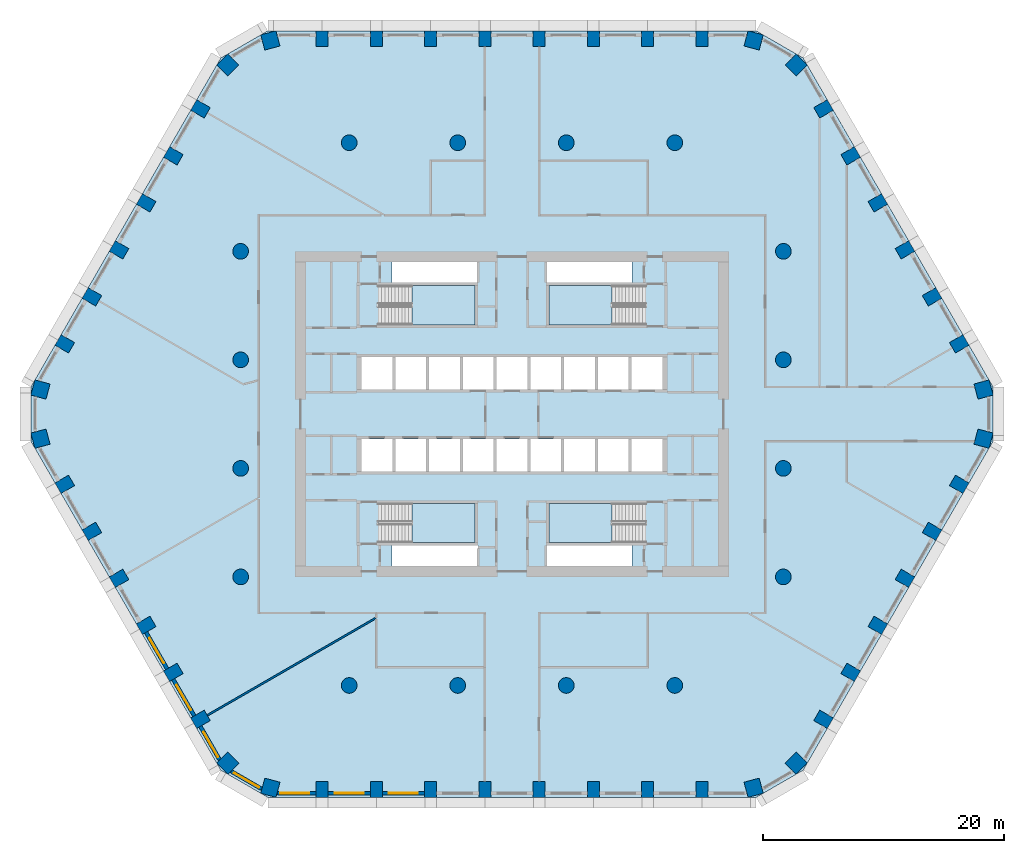
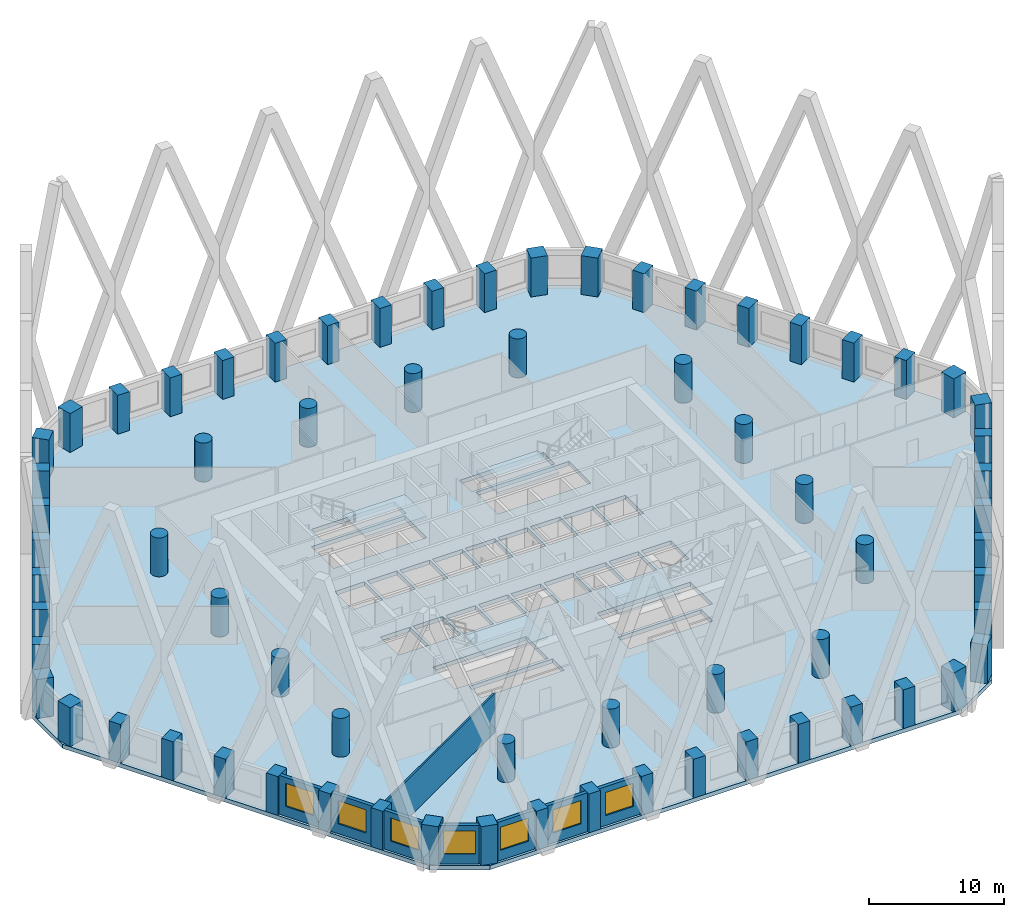
# One storey, part 1 of 18: 68 columns, 8 walls, 7 windows, 5 slabs, 7 openings, 4 elements without a shape of their own.
"""IFC4 building model written with IfcOpenShell, lengths in metres."""

from ifc_helpers import new_model, si_unit, direction, frame, frame_2d, origin, origin_2d, place, context, subcontext, project, spatial, polyline, rectangle, circle, outline, extrude, material, layer, layer_set, material_profile, profile_set, type_object, element, fill, aggregate, save


model = new_model("IFC4")

# Units and contexts
model_context = context("Model", 3, precision=1e-05, world=origin(), true_north=direction((0.0, 1.0)))
body_context = subcontext(model_context, "Body", "Model", "MODEL_VIEW")
ifc_project = project(units=[si_unit("LENGTHUNIT", "METRE"), si_unit("AREAUNIT", "SQUARE_METRE"), si_unit("VOLUMEUNIT", "CUBIC_METRE"), si_unit("PLANEANGLEUNIT", "RADIAN"), si_unit("MASSUNIT", "GRAM", prefix="KILO")], contexts=[model_context])

# Site, building, storey
site_placement = place(None, origin())
site = spatial("IfcSite", under=ifc_project, at=site_placement, CompositionType="ELEMENT")
building_placement = place(site_placement, origin())
building = spatial("IfcBuilding", under=site, at=building_placement, Name="Dhurran Vertical Campus", CompositionType="ELEMENT")
storey_placement = place(building_placement, frame((0.0, 0.0, 81.300048828125)))
storey = spatial("IfcBuildingStorey", under=building, at=storey_placement, Name="L19", CompositionType="ELEMENT", Elevation=81.300048828125)

# Columns
ifc_material_1 = material(Name="Concrete C60/75", Category="concrete")
ifc_material_profile_1 = material_profile(ifc_material_1, rectangle(XDim=1.0, YDim=1.300048828125, at=origin_2d()), Name="RC 1000x1300")
ifc_profile_set_1 = profile_set([ifc_material_profile_1], Name="Concrete C60/75")
column_type_1 = type_object("IfcColumnType", Name="FR COL RC 1000x1300 C60/75", PredefinedType="COLUMN", material=ifc_profile_set_1)
for number, where, z_axis, x_axis, name in (
    (1, (-15.75, -31.1298828125, 0.0), (0.0, 0.0, 1.0), (1.0, 0.0, 0.0), "Perimeter pier PP2.01"),
    (2, (-11.25, -31.1298828125, 0.0), (0.0, 0.0, 1.0), (1.0, 0.0, 0.0), "Perimeter pier PP2.02"),
    (3, (-6.75, -31.1298828125, 0.0), (0.0, 0.0, 1.0), (1.0, 0.0, 0.0), "Perimeter pier PP2.03"),
    (4, (-2.25, -31.1298828125, 0.0), (0.0, 0.0, 1.0), (1.0, 0.0, 0.0), "Perimeter pier PP2.04"),
    (5, (2.25, -31.1298828125, 0.0), (0.0, 0.0, 1.0), (1.0, 0.0, 0.0), "Perimeter pier PP2.05"),
    (6, (6.75, -31.1298828125, 0.0), (0.0, 0.0, 1.0), (1.0, 0.0, 0.0), "Perimeter pier PP2.06"),
    (7, (11.25, -31.1298828125, 0.0), (0.0, 0.0, 1.0), (1.0, 0.0, 0.0), "Perimeter pier PP2.07"),
    (8, (15.75, -31.1298828125, 0.0), (0.0, 0.0, 1.0), (1.0, 0.0, 0.0), "Perimeter pier PP2.08"),
    (9, (25.834228515625, -25.3076171875, 0.0), (0.0, 0.0, 1.0), (0.5, 0.866025403784, 0.0), "Perimeter pier PP2.11"),
    (10, (28.084228515625, -21.41064453125, 0.0), (0.0, 0.0, 1.0), (0.5, 0.866025403784, 0.0), "Perimeter pier PP2.12"),
    (11, (30.334228515625, -17.513427734375, 0.0), (0.0, 0.0, 1.0), (0.5, 0.866025403784, 0.0), "Perimeter pier PP2.13"),
    (12, (32.584228515625, -13.6162109375, 0.0), (0.0, 0.0, 1.0), (0.5, 0.866025403784, 0.0), "Perimeter pier PP2.14"),
    (13, (34.834228515625, -9.71923828125, 0.0), (0.0, 0.0, 1.0), (0.5, 0.866025403784, 0.0), "Perimeter pier PP2.15"),
    (14, (37.084228515625, -5.822021484375, 0.0), (0.0, 0.0, 1.0), (0.5, 0.866025403784, 0.0), "Perimeter pier PP2.16"),
    (15, (37.084228515625, 5.822021484375, 0.0), (0.0, 0.0, 1.0), (-0.5, 0.866025403784, 0.0), "Perimeter pier PP2.19"),
    (16, (34.834228515625, 9.71923828125, 0.0), (0.0, 0.0, 1.0), (-0.5, 0.866025403784, 0.0), "Perimeter pier PP2.20"),
    (17, (32.584228515625, 13.6162109375, 0.0), (0.0, 0.0, 1.0), (-0.5, 0.866025403784, 0.0), "Perimeter pier PP2.21"),
    (18, (30.334228515625, 17.513427734375, 0.0), (0.0, 0.0, 1.0), (-0.5, 0.866025403784, 0.0), "Perimeter pier PP2.22"),
    (19, (28.084228515625, 21.41064453125, 0.0), (0.0, 0.0, 1.0), (-0.5, 0.866025403784, 0.0), "Perimeter pier PP2.23"),
    (20, (25.834228515625, 25.3076171875, 0.0), (0.0, 0.0, 1.0), (-0.5, 0.866025403784, 0.0), "Perimeter pier PP2.24"),
    (21, (15.75, 31.1298828125, 0.0), (0.0, 0.0, 1.0), (-1.0, 0.0, 0.0), "Perimeter pier PP2.27"),
    (22, (11.25, 31.1298828125, 0.0), (0.0, 0.0, 1.0), (-1.0, 0.0, 0.0), "Perimeter pier PP2.28"),
    (23, (6.75, 31.1298828125, 0.0), (0.0, 0.0, 1.0), (-1.0, 0.0, 0.0), "Perimeter pier PP2.29"),
    (24, (2.25, 31.1298828125, 0.0), (0.0, 0.0, 1.0), (-1.0, 0.0, 0.0), "Perimeter pier PP2.30"),
    (25, (-2.25, 31.1298828125, 0.0), (0.0, 0.0, 1.0), (-1.0, 0.0, 0.0), "Perimeter pier PP2.31"),
    (26, (-6.75, 31.1298828125, 0.0), (0.0, 0.0, 1.0), (-1.0, 0.0, 0.0), "Perimeter pier PP2.32"),
    (27, (-11.25, 31.1298828125, 0.0), (0.0, 0.0, 1.0), (-1.0, 0.0, 0.0), "Perimeter pier PP2.33"),
    (28, (-15.75, 31.1298828125, 0.0), (0.0, 0.0, 1.0), (-1.0, 0.0, 0.0), "Perimeter pier PP2.34"),
    (29, (-25.834228515625, 25.3076171875, 0.0), (0.0, 0.0, 1.0), (-0.5, -0.866025403784, 0.0), "Perimeter pier PP2.37"),
    (30, (-28.084228515625, 21.41064453125, 0.0), (0.0, 0.0, 1.0), (-0.5, -0.866025403784, 0.0), "Perimeter pier PP2.38"),
    (31, (-30.334228515625, 17.513427734375, 0.0), (0.0, 0.0, 1.0), (-0.5, -0.866025403784, 0.0), "Perimeter pier PP2.39"),
    (32, (-32.584228515625, 13.6162109375, 0.0), (0.0, 0.0, 1.0), (-0.5, -0.866025403784, 0.0), "Perimeter pier PP2.40"),
    (33, (-34.834228515625, 9.71923828125, 0.0), (0.0, 0.0, 1.0), (-0.5, -0.866025403784, 0.0), "Perimeter pier PP2.41"),
    (34, (-37.084228515625, 5.822021484375, 0.0), (0.0, 0.0, 1.0), (-0.5, -0.866025403784, 0.0), "Perimeter pier PP2.42"),
    (35, (-37.084228515625, -5.822021484375, 0.0), (0.0, 0.0, 1.0), (0.5, -0.866025403784, 0.0), "Perimeter pier PP2.45"),
    (36, (-34.834228515625, -9.71923828125, 0.0), (0.0, 0.0, 1.0), (0.5, -0.866025403784, 0.0), "Perimeter pier PP2.46"),
    (37, (-32.584228515625, -13.6162109375, 0.0), (0.0, 0.0, 1.0), (0.5, -0.866025403784, 0.0), "Perimeter pier PP2.47"),
    (38, (-30.334228515625, -17.513427734375, 0.0), (0.0, 0.0, 1.0), (0.5, -0.866025403784, 0.0), "Perimeter pier PP2.48"),
    (39, (-28.084228515625, -21.41064453125, 0.0), (0.0, 0.0, 1.0), (0.5, -0.866025403784, 0.0), "Perimeter pier PP2.49"),
    (40, (-25.834228515625, -25.3076171875, 0.0), (0.0, 0.0, 1.0), (0.5, -0.866025403784, 0.0), "Perimeter pier PP2.50"),
):
    element("IfcColumn", number, at=place(storey_placement, frame(where, z_axis=z_axis, x_axis=x_axis)), inside=storey, type_object=column_type_1, Name=name, PredefinedType="COLUMN", context=body_context, shape_type="SweptSolid", body=[
        extrude(rectangle(XDim=1.0, YDim=1.300048828125, at=origin_2d()), origin(), (0.0, 0.0, 1.0), 3.52490234375),
    ])
ifc_material_2 = material(Name="Concrete C60/75", Category="concrete")
ifc_material_profile_2 = material_profile(ifc_material_2, rectangle(XDim=1.300048828125, YDim=1.300048828125, at=origin_2d()), Name="RC 1300x1300")
ifc_profile_set_2 = profile_set([ifc_material_profile_2], Name="Concrete C60/75")
column_type_2 = type_object("IfcColumnType", Name="FR COL RC 1300x1300 C60/75", PredefinedType="COLUMN", material=ifc_profile_set_2)
for number, where, z_axis, x_axis, name in (
    (41, (-20.03662109375, -30.983642578125, 0.0), (0.0, 0.0, 1.0), (0.965925826289, -0.258819045103, 0.0), "Perimeter pier PP2.00"),
    (42, (20.03662109375, -30.983642578125, 0.0), (0.0, 0.0, 1.0), (0.965925826289, 0.258819045103, 0.0), "Perimeter pier PP2.09"),
    (43, (23.564208984375, -28.947021484375, 0.0), (0.0, 0.0, 1.0), (0.707106781187, 0.707106781187, 0.0), "Perimeter pier PP2.10"),
    (44, (39.10107421875, -2.03662109375, 0.0), (0.0, 0.0, 1.0), (0.258819045103, 0.965925826289, 0.0), "Perimeter pier PP2.17"),
    (45, (39.10107421875, 2.03662109375, 0.0), (0.0, 0.0, 1.0), (-0.258819045103, 0.965925826289, 0.0), "Perimeter pier PP2.18"),
    (46, (23.564208984375, 28.947021484375, 0.0), (0.0, 0.0, 1.0), (-0.707106781187, 0.707106781187, 0.0), "Perimeter pier PP2.25"),
    (47, (20.03662109375, 30.983642578125, 0.0), (0.0, 0.0, 1.0), (-0.965925826289, 0.258819045103, 0.0), "Perimeter pier PP2.26"),
    (48, (-20.03662109375, 30.983642578125, 0.0), (0.0, 0.0, 1.0), (-0.965925826289, -0.258819045103, 0.0), "Perimeter pier PP2.35"),
    (49, (-23.564208984375, 28.947021484375, 0.0), (0.0, 0.0, 1.0), (-0.707106781187, -0.707106781187, 0.0), "Perimeter pier PP2.36"),
    (50, (-39.10107421875, 2.03662109375, 0.0), (0.0, 0.0, 1.0), (-0.258819045103, -0.965925826289, 0.0), "Perimeter pier PP2.43"),
    (51, (-39.10107421875, -2.03662109375, 0.0), (0.0, 0.0, 1.0), (0.258819045103, -0.965925826289, 0.0), "Perimeter pier PP2.44"),
    (52, (-23.564208984375, -28.947021484375, 0.0), (0.0, 0.0, 1.0), (0.707106781187, -0.707106781187, 0.0), "Perimeter pier PP2.51"),
):
    element("IfcColumn", number, at=place(storey_placement, frame(where, z_axis=z_axis, x_axis=x_axis)), inside=storey, type_object=column_type_2, Name=name, PredefinedType="COLUMN", context=body_context, shape_type="SweptSolid", body=[
        extrude(rectangle(XDim=1.300048828125, YDim=1.300048828125, at=origin_2d()), origin(), (0.0, 0.0, 1.0), 3.52490234375),
    ])
ifc_material_3 = material(Name="Concrete C60/75", Category="concrete")
ifc_material_profile_3 = material_profile(ifc_material_3, circle(Radius=0.64990234375, at=origin_2d()), Name="RCC D1300")
ifc_profile_set_3 = profile_set([ifc_material_profile_3], Name="Concrete C60/75")
column_type_3 = type_object("IfcColumnType", Name="FR COL RCC D1300 C60/75", PredefinedType="COLUMN", material=ifc_profile_set_3)
for number, where, z_axis, x_axis, name in (
    (53, (-22.5, -13.5, 0.0), (0.0, 0.0, 1.0), (1.0, 0.0, 0.0), "Inner column IC2-D4"),
    (54, (-22.5, -4.5, 0.0), (0.0, 0.0, 1.0), (1.0, 0.0, 0.0), "Inner column IC2-D5"),
    (55, (-22.5, 4.5, 0.0), (0.0, 0.0, 1.0), (1.0, 0.0, 0.0), "Inner column IC2-D6"),
    (56, (-22.5, 13.5, 0.0), (0.0, 0.0, 1.0), (1.0, 0.0, 0.0), "Inner column IC2-D7"),
    (57, (-13.5, -22.5, 0.0), (0.0, 0.0, 1.0), (1.0, 0.0, 0.0), "Inner column IC2-E3"),
    (58, (-13.5, 22.5, 0.0), (0.0, 0.0, 1.0), (1.0, 0.0, 0.0), "Inner column IC2-E8"),
    (59, (-4.5, -22.5, 0.0), (0.0, 0.0, 1.0), (1.0, 0.0, 0.0), "Inner column IC2-F3"),
    (60, (-4.5, 22.5, 0.0), (0.0, 0.0, 1.0), (1.0, 0.0, 0.0), "Inner column IC2-F8"),
    (61, (4.5, -22.5, 0.0), (0.0, 0.0, 1.0), (1.0, 0.0, 0.0), "Inner column IC2-G3"),
    (62, (4.5, 22.5, 0.0), (0.0, 0.0, 1.0), (1.0, 0.0, 0.0), "Inner column IC2-G8"),
    (63, (13.5, -22.5, 0.0), (0.0, 0.0, 1.0), (1.0, 0.0, 0.0), "Inner column IC2-H3"),
    (64, (13.5, 22.5, 0.0), (0.0, 0.0, 1.0), (1.0, 0.0, 0.0), "Inner column IC2-H8"),
    (65, (22.5, -13.5, 0.0), (0.0, 0.0, 1.0), (1.0, 0.0, 0.0), "Inner column IC2-J4"),
    (66, (22.5, -4.5, 0.0), (0.0, 0.0, 1.0), (1.0, 0.0, 0.0), "Inner column IC2-J5"),
    (67, (22.5, 4.5, 0.0), (0.0, 0.0, 1.0), (1.0, 0.0, 0.0), "Inner column IC2-J6"),
    (68, (22.5, 13.5, 0.0), (0.0, 0.0, 1.0), (1.0, 0.0, 0.0), "Inner column IC2-J7"),
):
    element("IfcColumn", number, at=place(storey_placement, frame(where, z_axis=z_axis, x_axis=x_axis)), inside=storey, type_object=column_type_3, Name=name, PredefinedType="COLUMN", context=body_context, shape_type="SweptSolid", body=[
        extrude(circle(Radius=0.64990234375, at=origin_2d()), origin(), (0.0, 0.0, 1.0), 3.52490234375),
    ])

# Slab
ifc_material_4 = material(Name="Concrete C40/50", Category="concrete")
ifc_layer_1 = layer(ifc_material_4, 0.375)
ifc_layer_set_1 = layer_set([ifc_layer_1], Name="Concrete C40/50")
slab_type_1 = type_object("IfcSlabType", Name="FR POST-TENSIONED FLAT SLAB 375", PredefinedType="FLOOR", material=ifc_layer_set_1)
slab_1_placement = place(storey_placement, frame((0.0, 0.0, -0.375)))
element("IfcSlab", 69, at=slab_1_placement, inside=storey, type_object=slab_type_1, Name="Floor slab L19", PredefinedType="FLOOR", context=body_context, shape_type="SweptSolid", body=[
    extrude(outline(polyline([(-20.25, -31.77978515625), (20.25, -31.77978515625), (24.147216796875, -29.52978515625), (39.897216796875, -2.25), (39.897216796875, 2.25), (24.147216796875, 29.52978515625), (20.25, 31.77978515625), (-20.25, 31.77978515625), (-24.147216796875, 29.52978515625), (-39.897216796875, 2.25), (-39.897216796875, -2.25), (-24.147216796875, -29.52978515625), (-20.25, -31.77978515625)]), holes=[polyline([(-12.47509765625, 2.050048828125), (-9.925048828125, 2.050048828125), (-9.925048828125, 4.75), (-12.47509765625, 4.75), (-12.47509765625, 2.050048828125)]), polyline([(-9.675048828125, 2.050048828125), (-7.125, 2.050048828125), (-7.125, 4.75), (-9.675048828125, 4.75), (-9.675048828125, 2.050048828125)]), polyline([(-6.875, 2.050048828125), (-4.324951171875, 2.050048828125), (-4.324951171875, 4.75), (-6.875, 4.75), (-6.875, 2.050048828125)]), polyline([(-1.27490234375, 2.050048828125), (1.27490234375, 2.050048828125), (1.27490234375, 4.75), (-1.27490234375, 4.75), (-1.27490234375, 2.050048828125)]), polyline([(9.925048828125, 2.050048828125), (12.47509765625, 2.050048828125), (12.47509765625, 4.75), (9.925048828125, 4.75), (9.925048828125, 2.050048828125)]), polyline([(-1.27490234375, -4.75), (1.27490234375, -4.75), (1.27490234375, -2.050048828125), (-1.27490234375, -2.050048828125), (-1.27490234375, -4.75)]), polyline([(1.52490234375, -4.75), (4.074951171875, -4.75), (4.074951171875, -2.050048828125), (1.52490234375, -2.050048828125), (1.52490234375, -4.75)]), polyline([(4.324951171875, -4.75), (6.875, -4.75), (6.875, -2.050048828125), (4.324951171875, -2.050048828125), (4.324951171875, -4.75)]), polyline([(7.125, -4.75), (9.675048828125, -4.75), (9.675048828125, -2.050048828125), (7.125, -2.050048828125), (7.125, -4.75)]), polyline([(9.925048828125, -4.75), (12.47509765625, -4.75), (12.47509765625, -2.050048828125), (9.925048828125, -2.050048828125), (9.925048828125, -4.75)]), polyline([(-4.074951171875, 2.050048828125), (-1.52490234375, 2.050048828125), (-1.52490234375, 4.75), (-4.074951171875, 4.75), (-4.074951171875, 2.050048828125)]), polyline([(1.52490234375, 2.050048828125), (4.074951171875, 2.050048828125), (4.074951171875, 4.75), (1.52490234375, 4.75), (1.52490234375, 2.050048828125)]), polyline([(4.324951171875, 2.050048828125), (6.875, 2.050048828125), (6.875, 4.75), (4.324951171875, 4.75), (4.324951171875, 2.050048828125)]), polyline([(7.125, 2.050048828125), (9.675048828125, 2.050048828125), (9.675048828125, 4.75), (7.125, 4.75), (7.125, 2.050048828125)]), polyline([(-12.47509765625, -4.75), (-9.925048828125, -4.75), (-9.925048828125, -2.050048828125), (-12.47509765625, -2.050048828125), (-12.47509765625, -4.75)]), polyline([(-9.675048828125, -4.75), (-7.125, -4.75), (-7.125, -2.050048828125), (-9.675048828125, -2.050048828125), (-9.675048828125, -4.75)]), polyline([(-6.875, -4.75), (-4.324951171875, -4.75), (-4.324951171875, -2.050048828125), (-6.875, -2.050048828125), (-6.875, -4.75)]), polyline([(-4.074951171875, -4.75), (-1.52490234375, -4.75), (-1.52490234375, -2.050048828125), (-4.074951171875, -2.050048828125), (-4.074951171875, -4.75)]), polyline([(-11.050048828125, 7.39990234375), (-3.050048828125, 7.39990234375), (-3.050048828125, 10.64990234375), (-11.050048828125, 10.64990234375), (-11.050048828125, 7.39990234375)]), polyline([(3.050048828125, 7.39990234375), (11.050048828125, 7.39990234375), (11.050048828125, 10.64990234375), (3.050048828125, 10.64990234375), (3.050048828125, 7.39990234375)]), polyline([(-11.050048828125, -10.64990234375), (-3.050048828125, -10.64990234375), (-3.050048828125, -7.39990234375), (-11.050048828125, -7.39990234375), (-11.050048828125, -10.64990234375)]), polyline([(3.050048828125, -10.64990234375), (11.050048828125, -10.64990234375), (11.050048828125, -7.39990234375), (3.050048828125, -7.39990234375), (3.050048828125, -10.64990234375)]), polyline([(-9.949951171875, 10.89990234375), (-9.949951171875, 12.60009765625), (-2.800048828125, 12.60009765625), (-2.800048828125, 10.89990234375), (-9.949951171875, 10.89990234375)]), polyline([(9.949951171875, 12.60009765625), (9.949951171875, 10.89990234375), (2.800048828125, 10.89990234375), (2.800048828125, 12.60009765625), (9.949951171875, 12.60009765625)]), polyline([(-9.949951171875, -12.60009765625), (-9.949951171875, -10.89990234375), (-2.800048828125, -10.89990234375), (-2.800048828125, -12.60009765625), (-9.949951171875, -12.60009765625)]), polyline([(9.949951171875, -10.89990234375), (9.949951171875, -12.60009765625), (2.800048828125, -12.60009765625), (2.800048828125, -10.89990234375), (9.949951171875, -10.89990234375)])]), origin(), (0.0, 0.0, 1.0), 0.375),
])

# Stair, slab
ifc_material_5 = material(Name="Concrete C40/50", Category="concrete")
stair_type = type_object("IfcStairType", Name="co-ST-CORE", PredefinedType="HALF_TURN_STAIR", material=ifc_material_5)
stair_1_placement = place(storey_placement, origin())
stair_1 = element("IfcStair", 70, at=stair_1_placement, inside=storey, type_object=stair_type, Name="L19 Protected exit stair ST1", PredefinedType="HALF_TURN_STAIR")
ifc_material_6 = material(Name="Concrete C40/50", Category="concrete")
ifc_layer_2 = layer(ifc_material_6, 0.199951171875)
ifc_layer_set_2 = layer_set([ifc_layer_2], Name="Concrete C40/50")
slab_type_2 = type_object("IfcSlabType", Name="co-SL-LANDING", PredefinedType="LANDING", material=ifc_layer_set_2)
slab_2_placement = place(storey_placement, frame((0.0, 0.0, 1.75)))
slab_2 = element("IfcSlab", 71, at=slab_2_placement, type_object=slab_type_2, Name="ST1 landing 1", PredefinedType="LANDING", context=body_context, shape_type="SweptSolid", body=[
    extrude(outline(polyline([(-8.300048828125, 7.39990234375), (-3.050048828125, 7.39990234375), (-3.050048828125, 10.64990234375), (-8.300048828125, 10.64990234375), (-8.300048828125, 7.39990234375)])), origin(), (0.0, 0.0, 1.0), 0.199951171875),
])
aggregate(stair_1, [slab_2])

stair_2_placement = place(storey_placement, origin())
stair_2 = element("IfcStair", 72, at=stair_2_placement, inside=storey, type_object=stair_type, Name="L19 Protected exit stair ST2", PredefinedType="HALF_TURN_STAIR")
slab_3_placement = place(storey_placement, frame((0.0, 0.0, 1.75)))
slab_3 = element("IfcSlab", 73, at=slab_3_placement, type_object=slab_type_2, Name="ST2 landing 1", PredefinedType="LANDING", context=body_context, shape_type="SweptSolid", body=[
    extrude(outline(polyline([(8.300048828125, 10.64990234375), (3.050048828125, 10.64990234375), (3.050048828125, 7.39990234375), (8.300048828125, 7.39990234375), (8.300048828125, 10.64990234375)])), origin(), (0.0, 0.0, 1.0), 0.199951171875),
])
aggregate(stair_2, [slab_3])

stair_3_placement = place(storey_placement, origin())
stair_3 = element("IfcStair", 74, at=stair_3_placement, inside=storey, type_object=stair_type, Name="L19 Protected exit stair ST3", PredefinedType="HALF_TURN_STAIR")
slab_4_placement = place(storey_placement, frame((0.0, 0.0, 1.75)))
slab_4 = element("IfcSlab", 75, at=slab_4_placement, type_object=slab_type_2, Name="ST3 landing 1", PredefinedType="LANDING", context=body_context, shape_type="SweptSolid", body=[
    extrude(outline(polyline([(-8.300048828125, -10.64990234375), (-3.050048828125, -10.64990234375), (-3.050048828125, -7.39990234375), (-8.300048828125, -7.39990234375), (-8.300048828125, -10.64990234375)])), origin(), (0.0, 0.0, 1.0), 0.199951171875),
])
aggregate(stair_3, [slab_4])

stair_4_placement = place(storey_placement, origin())
stair_4 = element("IfcStair", 76, at=stair_4_placement, inside=storey, type_object=stair_type, Name="L19 Protected exit stair ST4", PredefinedType="HALF_TURN_STAIR")
slab_5_placement = place(storey_placement, frame((0.0, 0.0, 1.75)))
slab_5 = element("IfcSlab", 77, at=slab_5_placement, type_object=slab_type_2, Name="ST4 landing 1", PredefinedType="LANDING", context=body_context, shape_type="SweptSolid", body=[
    extrude(outline(polyline([(8.300048828125, -7.39990234375), (3.050048828125, -7.39990234375), (3.050048828125, -10.64990234375), (8.300048828125, -10.64990234375), (8.300048828125, -7.39990234375)])), origin(), (0.0, 0.0, 1.0), 0.199951171875),
])
aggregate(stair_4, [slab_5])

# Wall, opening, window
ifc_material_7 = material(Name="Precast concrete C50/60", Category="concrete")
ifc_layer_3 = layer(ifc_material_7, 0.300048828125)
ifc_layer_set_3 = layer_set([ifc_layer_3], Name="Precast concrete C50/60")
wall_type_1 = type_object("IfcWallType", Name="Precast spandrel wall 300", PredefinedType="SOLIDWALL", material=ifc_layer_set_3)
wall_1_placement = place(storey_placement, frame((-19.44287109375, -31.4296875, 0.0), z_axis=(0.0, 0.0, 1.0), x_axis=(1.0, 0.0, 0.0)))
wall_1 = element("IfcWall", 78, at=wall_1_placement, inside=storey, type_object=wall_type_1, Name="EW1 L19.00", PredefinedType="SOLIDWALL", context=body_context, shape_type="SweptSolid", body=[
    extrude(rectangle(XDim=3.1923828125, YDim=0.300048828125, at=frame_2d((1.59619140625, 0.0))), origin(), (0.0, 0.0, 1.0), 3.52490234375),
])
opening_1_placement = place(wall_1_placement, frame((0.242919921875, 0.0, 0.89990234375)))
opening_1 = element("IfcOpeningElement", 79, at=opening_1_placement, cuts=wall_1, Name="Opening WT1", PredefinedType="OPENING", context=body_context, shape_type="SweptSolid", body=[
    extrude(rectangle(XDim=2.39990234375, YDim=2.10009765625, at=frame_2d((1.199951171875, 1.050048828125))), frame((0.0, 0.159912109375, 0.0), z_axis=(0.0, -1.0, 0.0), x_axis=(1.0, 0.0, 0.0)), (0.0, 0.0, 1.0), 0.320068359375),
])
ifc_material_8 = material(Name="Aluminium frame with solar-control glass", Category="aluminium")
window_type = type_object("IfcWindowType", Name="Punched window 2400 x 2100", PartitioningType="SINGLE_PANEL", PredefinedType="WINDOW", material=ifc_material_8)
window_1_placement = place(opening_1_placement, origin())
window_1 = element("IfcWindow", 80, at=window_1_placement, inside=storey, type_object=window_type, Name="WT1 L19.00", OverallHeight=2.10009765625, OverallWidth=2.39990234375, PartitioningType="SINGLE_PANEL", PredefinedType="WINDOW", context=body_context, shape_type="SweptSolid", body=[
    extrude(rectangle(XDim=2.39990234375, YDim=2.10009765625, at=frame_2d((1.199951171875, 1.050048828125))), frame((0.0, 0.030029296875, 0.0), z_axis=(0.0, -1.0, 0.0), x_axis=(1.0, 0.0, 0.0)), (0.0, 0.0, 1.0), 0.06005859375),
])
fill(opening_1, window_1)

wall_2_placement = place(storey_placement, frame((-15.24951171875, -31.4296875, 0.0), z_axis=(0.0, 0.0, 1.0), x_axis=(1.0, 0.0, 0.0)))
wall_2 = element("IfcWall", 81, at=wall_2_placement, inside=storey, type_object=wall_type_1, Name="EW1 L19.01", PredefinedType="SOLIDWALL", context=body_context, shape_type="SweptSolid", body=[
    extrude(rectangle(XDim=3.4990234375, YDim=0.300048828125, at=frame_2d((1.74951171875, 0.0))), origin(), (0.0, 0.0, 1.0), 3.52490234375),
])
opening_2_placement = place(wall_2_placement, frame((0.549560546875, 0.0, 0.89990234375)))
opening_2 = element("IfcOpeningElement", 82, at=opening_2_placement, cuts=wall_2, Name="Opening WT1", PredefinedType="OPENING", context=body_context, shape_type="SweptSolid", body=[
    extrude(rectangle(XDim=2.39990234375, YDim=2.10009765625, at=frame_2d((1.199951171875, 1.050048828125))), frame((0.0, 0.159912109375, 0.0), z_axis=(0.0, -1.0, 0.0), x_axis=(1.0, 0.0, 0.0)), (0.0, 0.0, 1.0), 0.320068359375),
])
window_2_placement = place(opening_2_placement, origin())
window_2 = element("IfcWindow", 83, at=window_2_placement, inside=storey, type_object=window_type, Name="WT1 L19.01", OverallHeight=2.10009765625, OverallWidth=2.39990234375, PartitioningType="SINGLE_PANEL", PredefinedType="WINDOW", context=body_context, shape_type="SweptSolid", body=[
    extrude(rectangle(XDim=2.39990234375, YDim=2.10009765625, at=frame_2d((1.199951171875, 1.050048828125))), frame((0.0, 0.030029296875, 0.0), z_axis=(0.0, -1.0, 0.0), x_axis=(1.0, 0.0, 0.0)), (0.0, 0.0, 1.0), 0.06005859375),
])
fill(opening_2, window_2)

wall_3_placement = place(storey_placement, frame((-10.74951171875, -31.4296875, 0.0), z_axis=(0.0, 0.0, 1.0), x_axis=(1.0, 0.0, 0.0)))
wall_3 = element("IfcWall", 84, at=wall_3_placement, inside=storey, type_object=wall_type_1, Name="EW1 L19.02", PredefinedType="SOLIDWALL", context=body_context, shape_type="SweptSolid", body=[
    extrude(rectangle(XDim=3.4990234375, YDim=0.300048828125, at=frame_2d((1.74951171875, 0.0))), origin(), (0.0, 0.0, 1.0), 3.52490234375),
])
opening_3_placement = place(wall_3_placement, frame((0.549560546875, 0.0, 0.89990234375)))
opening_3 = element("IfcOpeningElement", 85, at=opening_3_placement, cuts=wall_3, Name="Opening WT1", PredefinedType="OPENING", context=body_context, shape_type="SweptSolid", body=[
    extrude(rectangle(XDim=2.39990234375, YDim=2.10009765625, at=frame_2d((1.199951171875, 1.050048828125))), frame((0.0, 0.159912109375, 0.0), z_axis=(0.0, -1.0, 0.0), x_axis=(1.0, 0.0, 0.0)), (0.0, 0.0, 1.0), 0.320068359375),
])
window_3_placement = place(opening_3_placement, origin())
window_3 = element("IfcWindow", 86, at=window_3_placement, inside=storey, type_object=window_type, Name="WT1 L19.02", OverallHeight=2.10009765625, OverallWidth=2.39990234375, PartitioningType="SINGLE_PANEL", PredefinedType="WINDOW", context=body_context, shape_type="SweptSolid", body=[
    extrude(rectangle(XDim=2.39990234375, YDim=2.10009765625, at=frame_2d((1.199951171875, 1.050048828125))), frame((0.0, 0.030029296875, 0.0), z_axis=(0.0, -1.0, 0.0), x_axis=(1.0, 0.0, 0.0)), (0.0, 0.0, 1.0), 0.06005859375),
])
fill(opening_3, window_3)

wall_4_placement = place(storey_placement, frame((-30.34375, -18.096923828125, 0.0), z_axis=(0.0, 0.0, 1.0), x_axis=(0.499996256241, -0.866027565234, 0.0)))
wall_4 = element("IfcWall", 87, at=wall_4_placement, inside=storey, type_object=wall_type_1, Name="EW1 L19.48", PredefinedType="SOLIDWALL", context=body_context, shape_type="SweptSolid", body=[
    extrude(rectangle(XDim=3.4990234375, YDim=0.300048828125, at=frame_2d((1.74951171875, 0.0))), origin(), (0.0, 0.0, 1.0), 3.52490234375),
])
opening_4_placement = place(wall_4_placement, frame((0.549560546875, 0.0, 0.89990234375)))
opening_4 = element("IfcOpeningElement", 88, at=opening_4_placement, cuts=wall_4, Name="Opening WT1", PredefinedType="OPENING", context=body_context, shape_type="SweptSolid", body=[
    extrude(rectangle(XDim=2.39990234375, YDim=2.10009765625, at=frame_2d((1.199951171875, 1.050048828125))), frame((0.0, 0.159912109375, 0.0), z_axis=(0.0, -1.0, 0.0), x_axis=(1.0, 0.0, 0.0)), (0.0, 0.0, 1.0), 0.320068359375),
])
window_4_placement = place(opening_4_placement, origin())
window_4 = element("IfcWindow", 89, at=window_4_placement, inside=storey, type_object=window_type, Name="WT1 L19.48", OverallHeight=2.10009765625, OverallWidth=2.39990234375, PartitioningType="SINGLE_PANEL", PredefinedType="WINDOW", context=body_context, shape_type="SweptSolid", body=[
    extrude(rectangle(XDim=2.39990234375, YDim=2.10009765625, at=frame_2d((1.199951171875, 1.050048828125))), frame((0.0, 0.030029296875, 0.0), z_axis=(0.0, -1.0, 0.0), x_axis=(1.0, 0.0, 0.0)), (0.0, 0.0, 1.0), 0.06005859375),
])
fill(opening_4, window_4)

wall_5_placement = place(storey_placement, frame((-28.09375, -21.993896484375, 0.0), z_axis=(0.0, 0.0, 1.0), x_axis=(0.499996256241, -0.866027565234, 0.0)))
wall_5 = element("IfcWall", 90, at=wall_5_placement, inside=storey, type_object=wall_type_1, Name="EW1 L19.49", PredefinedType="SOLIDWALL", context=body_context, shape_type="SweptSolid", body=[
    extrude(rectangle(XDim=3.4990234375, YDim=0.300048828125, at=frame_2d((1.74951171875, 0.0))), origin(), (0.0, 0.0, 1.0), 3.52490234375),
])
opening_5_placement = place(wall_5_placement, frame((0.549560546875, 0.0, 0.89990234375)))
opening_5 = element("IfcOpeningElement", 91, at=opening_5_placement, cuts=wall_5, Name="Opening WT1", PredefinedType="OPENING", context=body_context, shape_type="SweptSolid", body=[
    extrude(rectangle(XDim=2.39990234375, YDim=2.10009765625, at=frame_2d((1.199951171875, 1.050048828125))), frame((0.0, 0.159912109375, 0.0), z_axis=(0.0, -1.0, 0.0), x_axis=(1.0, 0.0, 0.0)), (0.0, 0.0, 1.0), 0.320068359375),
])
window_5_placement = place(opening_5_placement, origin())
window_5 = element("IfcWindow", 92, at=window_5_placement, inside=storey, type_object=window_type, Name="WT1 L19.49", OverallHeight=2.10009765625, OverallWidth=2.39990234375, PartitioningType="SINGLE_PANEL", PredefinedType="WINDOW", context=body_context, shape_type="SweptSolid", body=[
    extrude(rectangle(XDim=2.39990234375, YDim=2.10009765625, at=frame_2d((1.199951171875, 1.050048828125))), frame((0.0, 0.030029296875, 0.0), z_axis=(0.0, -1.0, 0.0), x_axis=(1.0, 0.0, 0.0)), (0.0, 0.0, 1.0), 0.06005859375),
])
fill(opening_5, window_5)

wall_6_placement = place(storey_placement, frame((-25.84375, -25.89111328125, 0.0), z_axis=(0.0, 0.0, 1.0), x_axis=(0.500004907028, -0.866022570692, 0.0)))
wall_6 = element("IfcWall", 93, at=wall_6_placement, inside=storey, type_object=wall_type_1, Name="EW1 L19.50", PredefinedType="SOLIDWALL", context=body_context, shape_type="SweptSolid", body=[
    extrude(rectangle(XDim=3.1923828125, YDim=0.300048828125, at=frame_2d((1.59619140625, 0.0))), origin(), (0.0, 0.0, 1.0), 3.52490234375),
])
opening_6_placement = place(wall_6_placement, frame((0.549560546875, 0.0, 0.89990234375)))
opening_6 = element("IfcOpeningElement", 94, at=opening_6_placement, cuts=wall_6, Name="Opening WT1", PredefinedType="OPENING", context=body_context, shape_type="SweptSolid", body=[
    extrude(rectangle(XDim=2.39990234375, YDim=2.10009765625, at=frame_2d((1.199951171875, 1.050048828125))), frame((0.0, 0.159912109375, 0.0), z_axis=(0.0, -1.0, 0.0), x_axis=(1.0, 0.0, 0.0)), (0.0, 0.0, 1.0), 0.320068359375),
])
window_6_placement = place(opening_6_placement, origin())
window_6 = element("IfcWindow", 95, at=window_6_placement, inside=storey, type_object=window_type, Name="WT1 L19.50", OverallHeight=2.10009765625, OverallWidth=2.39990234375, PartitioningType="SINGLE_PANEL", PredefinedType="WINDOW", context=body_context, shape_type="SweptSolid", body=[
    extrude(rectangle(XDim=2.39990234375, YDim=2.10009765625, at=frame_2d((1.199951171875, 1.050048828125))), frame((0.0, 0.030029296875, 0.0), z_axis=(0.0, -1.0, 0.0), x_axis=(1.0, 0.0, 0.0)), (0.0, 0.0, 1.0), 0.06005859375),
])
fill(opening_6, window_6)

wall_7_placement = place(storey_placement, frame((-23.273193359375, -29.63037109375, 0.0), z_axis=(0.0, 0.0, 1.0), x_axis=(0.866053149362, -0.49995194017, 0.0)))
wall_7 = element("IfcWall", 96, at=wall_7_placement, inside=storey, type_object=wall_type_1, Name="EW1 L19.51", PredefinedType="SOLIDWALL", context=body_context, shape_type="SweptSolid", body=[
    extrude(rectangle(XDim=2.885498046875, YDim=0.300048828125, at=frame_2d((1.44287109375, 0.0))), origin(), (0.0, 0.0, 1.0), 3.52490234375),
])
opening_7_placement = place(wall_7_placement, frame((0.242919921875, 0.0, 0.89990234375)))
opening_7 = element("IfcOpeningElement", 97, at=opening_7_placement, cuts=wall_7, Name="Opening WT1", PredefinedType="OPENING", context=body_context, shape_type="SweptSolid", body=[
    extrude(rectangle(XDim=2.39990234375, YDim=2.10009765625, at=frame_2d((1.199951171875, 1.050048828125))), frame((0.0, 0.159912109375, 0.0), z_axis=(0.0, -1.0, 0.0), x_axis=(1.0, 0.0, 0.0)), (0.0, 0.0, 1.0), 0.320068359375),
])
window_7_placement = place(opening_7_placement, origin())
window_7 = element("IfcWindow", 98, at=window_7_placement, inside=storey, type_object=window_type, Name="WT1 L19.51", OverallHeight=2.10009765625, OverallWidth=2.39990234375, PartitioningType="SINGLE_PANEL", PredefinedType="WINDOW", context=body_context, shape_type="SweptSolid", body=[
    extrude(rectangle(XDim=2.39990234375, YDim=2.10009765625, at=frame_2d((1.199951171875, 1.050048828125))), frame((0.0, 0.030029296875, 0.0), z_axis=(0.0, -1.0, 0.0), x_axis=(1.0, 0.0, 0.0)), (0.0, 0.0, 1.0), 0.06005859375),
])
fill(opening_7, window_7)

# Wall
ifc_material_9 = material(Name="Gypsum board partition on steel studs", Category="steel")
ifc_layer_4 = layer(ifc_material_9, 0.14990234375)
ifc_layer_set_4 = layer_set([ifc_layer_4], Name="Gypsum board partition on steel studs")
wall_type_2 = type_object("IfcWallType", Name="fl-PW-150 fixed partition", PredefinedType="PARTITIONING", material=ifc_layer_set_4)
wall_8_placement = place(storey_placement, frame((-11.31494140625, -16.924560546875, 0.0), z_axis=(0.0, 0.0, 1.0), x_axis=(-0.86600725109, -0.500031440071, 0.0)))
element("IfcWall", 99, at=wall_8_placement, inside=storey, type_object=wall_type_2, Name="Partition 19-03", PredefinedType="PARTITIONING", context=body_context, shape_type="SweptSolid", body=[
    extrude(rectangle(XDim=16.095703125, YDim=0.14990234375, at=frame_2d((8.0478515625, 0.0))), origin(), (0.0, 0.0, 1.0), 3.52490234375),
])

save(model, "model.ifc")
